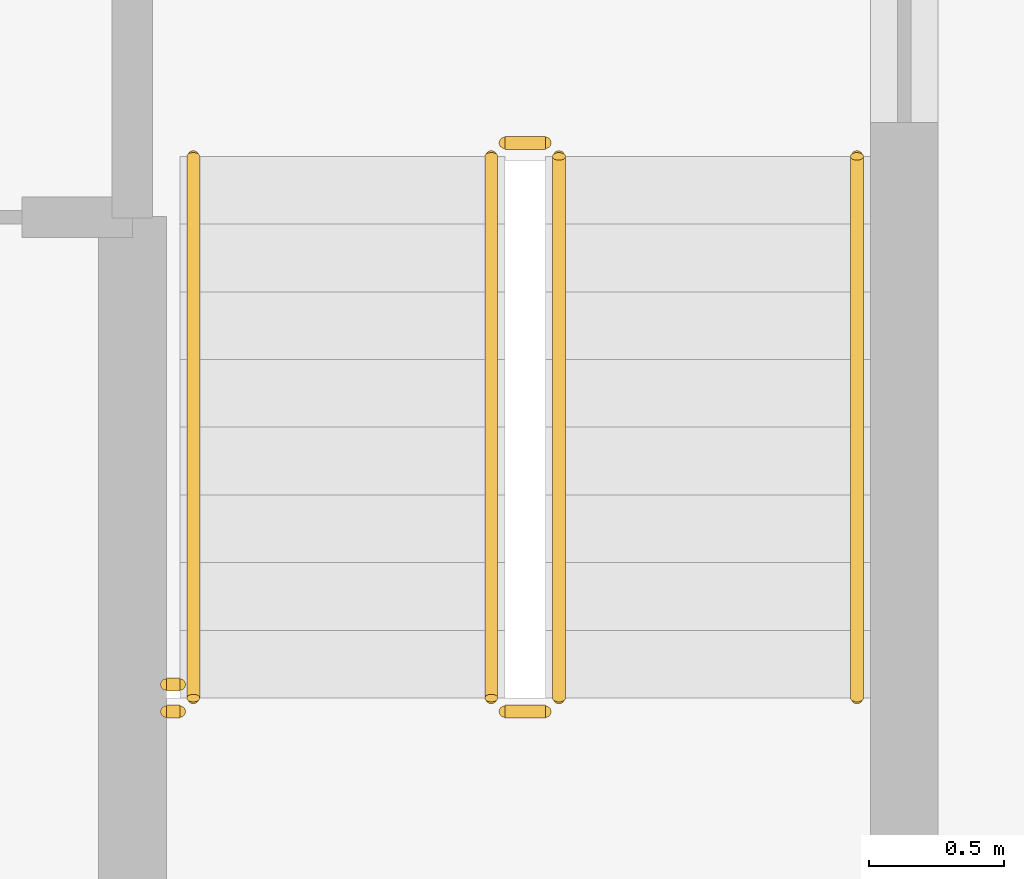
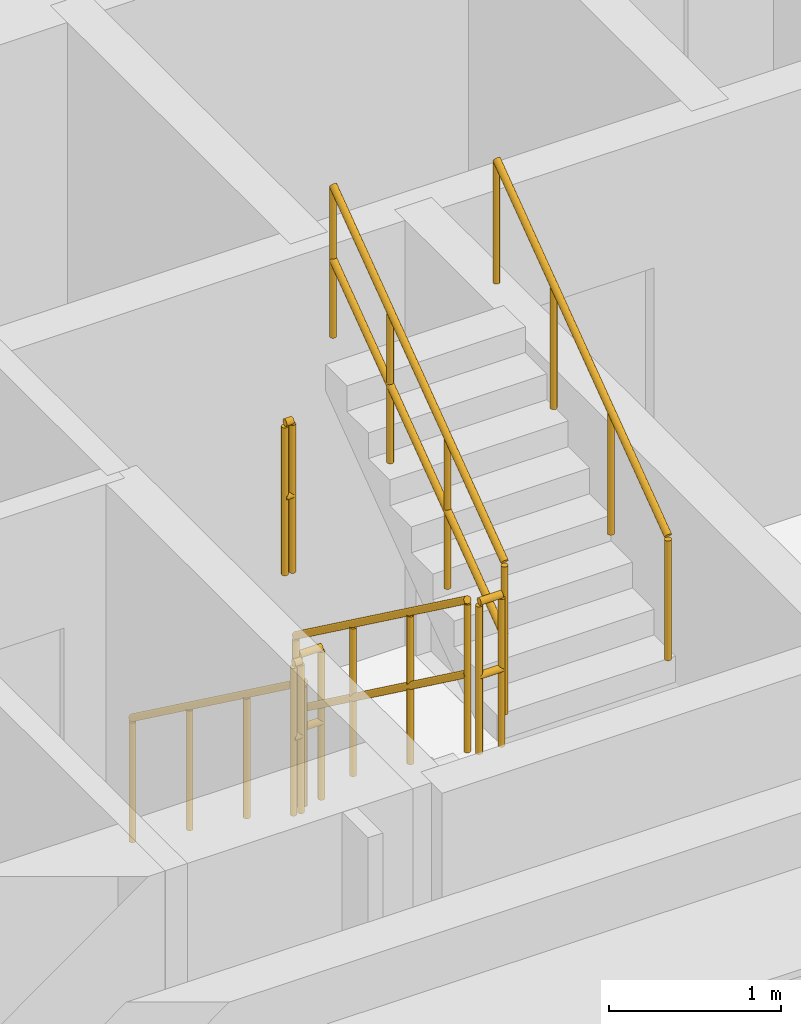
# One storey, part 15 of 17: 8 railings.
"""IFC4 building model written with IfcOpenShell, lengths in metres."""

from ifc_helpers import new_model, si_unit, direction, frame, origin, origin_2d, place, context, subcontext, project, spatial, circle, extrude, material, type_object, element, save


model = new_model("IFC4")

# Units and contexts
model_context = context("Model", 3, precision=1e-05, world=origin(), true_north=direction((0.0, 1.0)))
body_context = subcontext(model_context, "Body", "Model", "MODEL_VIEW")
ifc_project = project(units=[si_unit("LENGTHUNIT", "METRE"), si_unit("AREAUNIT", "SQUARE_METRE"), si_unit("VOLUMEUNIT", "CUBIC_METRE"), si_unit("PLANEANGLEUNIT", "RADIAN"), si_unit("MASSUNIT", "GRAM", prefix="KILO")], contexts=[model_context])

# Site, building, storey
site_placement = place(None, origin())
site = spatial("IfcSite", under=ifc_project, at=site_placement, CompositionType="ELEMENT")
building_placement = place(site_placement, origin())
building = spatial("IfcBuilding", under=site, at=building_placement, Name="Nakaniwa Court", CompositionType="ELEMENT")
storey_placement = place(building_placement, frame((0.0, 0.0, 209.699951171875)))
storey = spatial("IfcBuildingStorey", under=building, at=storey_placement, Name="L55", CompositionType="ELEMENT", Elevation=209.699951171875)

# Railings
ifc_material_1 = material(Name="Black powder coated steel guard", Category="steel")
railing_type_1 = type_object("IfcRailingType", Name="Stair guard 1100", PredefinedType="GUARDRAIL", material=ifc_material_1)
railing_1_placement = place(storey_placement, frame((81.875, 61.824951171875, 0.183349609375)))
element("IfcRailing", 1, at=railing_1_placement, inside=storey, type_object=railing_type_1, Name="L55 ST4 stair guard 1", PredefinedType="GUARDRAIL", context=body_context, shape_type="SweptSolid", body=[
    extrude(circle(Radius=0.02392578125, at=origin_2d()), frame((0.0, 0.0, 1.076171875), z_axis=(0.0, -0.806379959628, 0.591397802423), x_axis=(1.0, 0.0, 0.0)), (0.0, 0.0, 1.0), 2.480224609375),
    extrude(circle(Radius=0.02392578125, at=origin_2d()), frame((0.0, 0.0, 0.550048828125), z_axis=(0.0, -0.806379959628, 0.591397802423), x_axis=(1.0, 0.0, 0.0)), (0.0, 0.0, 1.0), 2.480224609375),
    extrude(circle(Radius=0.02099609375, at=origin_2d()), origin(), (0.0, 0.0, 1.0), 1.052001953125),
    extrude(circle(Radius=0.02099609375, at=origin_2d()), frame((0.0, -0.666748046875, 0.489013671875)), (0.0, 0.0, 1.0), 1.052001953125),
    extrude(circle(Radius=0.02099609375, at=origin_2d()), frame((0.0, -1.333251953125, 0.977783203125)), (0.0, 0.0, 1.0), 1.052001953125),
    extrude(circle(Radius=0.02099609375, at=origin_2d()), frame((0.0, -2.0, 1.466796875)), (0.0, 0.0, 1.0), 1.052001953125),
])
railing_2_placement = place(storey_placement, frame((81.925048828125, 59.77490234375, 1.650146484375)))
element("IfcRailing", 2, at=railing_2_placement, inside=storey, type_object=railing_type_1, Name="L55 ST4 stair guard 2", PredefinedType="GUARDRAIL", context=body_context, shape_type="SweptSolid", body=[
    extrude(circle(Radius=0.02392578125, at=origin_2d()), frame((0.0, 0.0, 1.076171875), z_axis=(1.0, 0.0, 0.0), x_axis=(0.0, 1.0, 0.0)), (0.0, 0.0, 1.0), 0.14990234375),
    extrude(circle(Radius=0.02392578125, at=origin_2d()), frame((0.0, 0.0, 0.550048828125), z_axis=(1.0, 0.0, 0.0), x_axis=(0.0, 1.0, 0.0)), (0.0, 0.0, 1.0), 0.14990234375),
    extrude(circle(Radius=0.02099609375, at=origin_2d()), origin(), (0.0, 0.0, 1.0), 1.052001953125),
    extrude(circle(Radius=0.02099609375, at=origin_2d()), frame((0.14990234375, 0.0, 0.0)), (0.0, 0.0, 1.0), 1.052001953125),
])
railing_3_placement = place(storey_placement, frame((82.125, 59.824951171875, 1.83349609375)))
element("IfcRailing", 3, at=railing_3_placement, inside=storey, type_object=railing_type_1, Name="L55 ST4 stair guard 3", PredefinedType="GUARDRAIL", context=body_context, shape_type="SweptSolid", body=[
    extrude(circle(Radius=0.02392578125, at=origin_2d()), frame((0.0, 0.0, 1.076171875), z_axis=(0.0, 0.806426902644, 0.591333789573), x_axis=(-1.0, 0.0, 0.0)), (0.0, 0.0, 1.0), 2.47998046875),
    extrude(circle(Radius=0.02392578125, at=origin_2d()), frame((0.0, 0.0, 0.550048828125), z_axis=(0.0, 0.806426902644, 0.591333789573), x_axis=(-1.0, 0.0, 0.0)), (0.0, 0.0, 1.0), 2.47998046875),
    extrude(circle(Radius=0.02099609375, at=origin_2d()), origin(), (0.0, 0.0, 1.0), 1.052001953125),
    extrude(circle(Radius=0.02099609375, at=origin_2d()), frame((0.0, 0.666748046875, 0.48876953125)), (0.0, 0.0, 1.0), 1.052001953125),
    extrude(circle(Radius=0.02099609375, at=origin_2d()), frame((0.0, 1.333251953125, 0.977783203125)), (0.0, 0.0, 1.0), 1.052001953125),
    extrude(circle(Radius=0.02099609375, at=origin_2d()), frame((0.0, 2.0, 1.466552734375)), (0.0, 0.0, 1.0), 1.052001953125),
])
railing_4_placement = place(storey_placement, frame((81.925048828125, 61.875, 0.0)))
element("IfcRailing", 4, at=railing_4_placement, inside=storey, type_object=railing_type_1, Name="L55 ST4 stair guard 4", PredefinedType="GUARDRAIL", context=body_context, shape_type="SweptSolid", body=[
    extrude(circle(Radius=0.02392578125, at=origin_2d()), frame((0.0, 0.0, 1.076171875), z_axis=(1.0, 0.0, 0.0), x_axis=(0.0, 1.0, 0.0)), (0.0, 0.0, 1.0), 0.14990234375),
    extrude(circle(Radius=0.02392578125, at=origin_2d()), frame((0.0, 0.0, 0.550048828125), z_axis=(1.0, 0.0, 0.0), x_axis=(0.0, 1.0, 0.0)), (0.0, 0.0, 1.0), 0.14990234375),
    extrude(circle(Radius=0.02099609375, at=origin_2d()), origin(), (0.0, 0.0, 1.0), 1.052001953125),
    extrude(circle(Radius=0.02099609375, at=origin_2d()), frame((0.14990234375, 0.0, 0.0)), (0.0, 0.0, 1.0), 1.052001953125),
])
for number, where, name in (
    (5, (80.675048828125, 59.77490234375, 1.650146484375), "L55 ST4 landing side guard 1W"),
    (6, (80.675048828125, 59.875, 3.300048828125), "L55 ST4 floor edge guard 1W"),
):
    element("IfcRailing", number, at=place(storey_placement, frame(where)), inside=storey, type_object=railing_type_1, Name=name, PredefinedType="GUARDRAIL", context=body_context, shape_type="SweptSolid", body=[
        extrude(circle(Radius=0.02392578125, at=origin_2d()), frame((0.0, 0.0, 1.076171875), z_axis=(1.0, 0.0, 0.0), x_axis=(0.0, 1.0, 0.0)), (0.0, 0.0, 1.0), 0.050048828125),
        extrude(circle(Radius=0.02392578125, at=origin_2d()), frame((0.0, 0.0, 0.550048828125), z_axis=(1.0, 0.0, 0.0), x_axis=(0.0, 1.0, 0.0)), (0.0, 0.0, 1.0), 0.050048828125),
        extrude(circle(Radius=0.02099609375, at=origin_2d()), origin(), (0.0, 0.0, 1.0), 1.052001953125),
        extrude(circle(Radius=0.02099609375, at=origin_2d()), frame((0.050048828125, 0.0, 0.0)), (0.0, 0.0, 1.0), 1.052001953125),
    ])
ifc_material_2 = material(Name="Black powder coated steel handrail", Category="steel")
railing_type_2 = type_object("IfcRailingType", Name="Stair handrail 900", PredefinedType="HANDRAIL", material=ifc_material_2)
railing_5_placement = place(storey_placement, frame((80.77490234375, 61.824951171875, 0.183349609375)))
element("IfcRailing", 7, at=railing_5_placement, inside=storey, type_object=railing_type_2, Name="L55 ST4 stair handrail 1", PredefinedType="HANDRAIL", context=body_context, shape_type="SweptSolid", body=[
    extrude(circle(Radius=0.02392578125, at=origin_2d()), frame((0.0, 0.0, 0.8759765625), z_axis=(0.0, -0.806379959628, 0.591397802423), x_axis=(1.0, 0.0, 0.0)), (0.0, 0.0, 1.0), 2.480224609375),
    extrude(circle(Radius=0.02099609375, at=origin_2d()), origin(), (0.0, 0.0, 1.0), 0.851806640625),
    extrude(circle(Radius=0.02099609375, at=origin_2d()), frame((0.0, -0.666748046875, 0.489013671875)), (0.0, 0.0, 1.0), 0.851806640625),
    extrude(circle(Radius=0.02099609375, at=origin_2d()), frame((0.0, -1.333251953125, 0.977783203125)), (0.0, 0.0, 1.0), 0.851806640625),
    extrude(circle(Radius=0.02099609375, at=origin_2d()), frame((0.0, -2.0, 1.466796875)), (0.0, 0.0, 1.0), 0.851806640625),
])
railing_6_placement = place(storey_placement, frame((83.22509765625, 59.824951171875, 1.83349609375)))
element("IfcRailing", 8, at=railing_6_placement, inside=storey, type_object=railing_type_2, Name="L55 ST4 stair handrail 2", PredefinedType="HANDRAIL", context=body_context, shape_type="SweptSolid", body=[
    extrude(circle(Radius=0.02392578125, at=origin_2d()), frame((0.0, 0.0, 0.8759765625), z_axis=(0.0, 0.806426902644, 0.591333789573), x_axis=(-1.0, 0.0, 0.0)), (0.0, 0.0, 1.0), 2.47998046875),
    extrude(circle(Radius=0.02099609375, at=origin_2d()), origin(), (0.0, 0.0, 1.0), 0.851806640625),
    extrude(circle(Radius=0.02099609375, at=origin_2d()), frame((0.0, 0.666748046875, 0.48876953125)), (0.0, 0.0, 1.0), 0.851806640625),
    extrude(circle(Radius=0.02099609375, at=origin_2d()), frame((0.0, 1.333251953125, 0.977783203125)), (0.0, 0.0, 1.0), 0.851806640625),
    extrude(circle(Radius=0.02099609375, at=origin_2d()), frame((0.0, 2.0, 1.466552734375)), (0.0, 0.0, 1.0), 0.851806640625),
])

save(model, "model.ifc")
